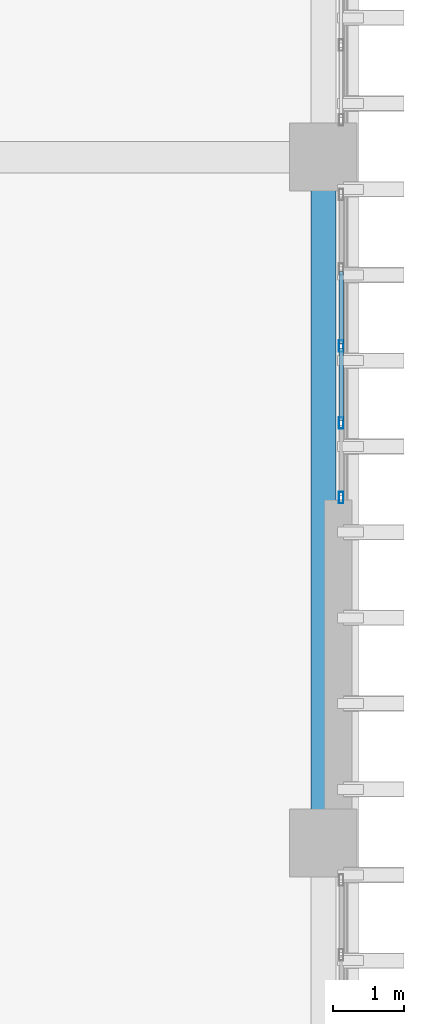
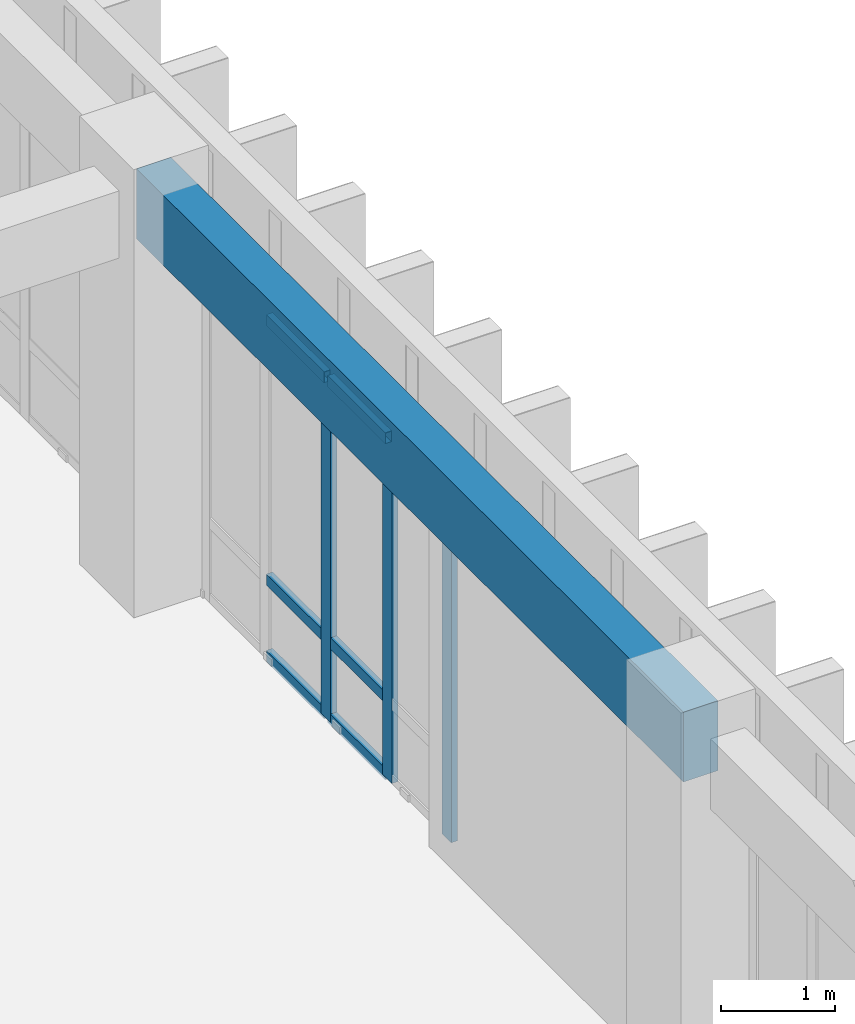
# One storey, part 63 of 133: 9 members, 1 beam, 1 element without a shape of its own.
"""IFC4 building model written with IfcOpenShell, lengths in metres."""

from ifc_helpers import new_model, si_unit, direction, frame, origin, origin_2d, place, context, subcontext, project, spatial, rectangle, hollow_rectangle, extrude, material, layer, layer_set, material_profile, profile_set, type_object, element, aggregate, save


model = new_model("IFC4")

# Units and contexts
model_context = context("Model", 3, precision=1e-05, world=origin(), true_north=direction((0.0, 1.0)))
body_context = subcontext(model_context, "Body", "Model", "MODEL_VIEW")
ifc_project = project(units=[si_unit("LENGTHUNIT", "METRE"), si_unit("AREAUNIT", "SQUARE_METRE"), si_unit("VOLUMEUNIT", "CUBIC_METRE"), si_unit("PLANEANGLEUNIT", "RADIAN"), si_unit("MASSUNIT", "GRAM", prefix="KILO")], contexts=[model_context])

# Site, building, storey
site_placement = place(None, origin())
site = spatial("IfcSite", under=ifc_project, at=site_placement, CompositionType="ELEMENT")
building_placement = place(site_placement, origin())
building = spatial("IfcBuilding", under=site, at=building_placement, Name="Nakhvara Creek Congress Hotel", CompositionType="ELEMENT")
storey_placement = place(building_placement, frame((0.0, 0.0, 11.39990234375)))
storey = spatial("IfcBuildingStorey", under=building, at=storey_placement, Name="L02", CompositionType="ELEMENT", Elevation=11.39990234375)

# Beam
ifc_material_1 = material(Name="Concrete C40/50", Category="concrete")
ifc_material_profile_1 = material_profile(ifc_material_1, rectangle(XDim=0.35009765625, YDim=0.75, at=origin_2d()), Name="RC-SPANDREL 350x750", Category="LoadBearing")
ifc_profile_set_1 = profile_set([ifc_material_profile_1], Name="Concrete C40/50")
beam_type = type_object("IfcBeamType", Name="BM-SPN-350X750", PredefinedType="SPANDREL", material=ifc_profile_set_1)
beam_placement = place(storey_placement, frame((179.35009765625, 38.39990234375, 4.045166015625), z_axis=(0.0, 1.0, 0.0), x_axis=(-1.0, 0.0, 0.0)))
element("IfcBeam", 1, at=beam_placement, inside=storey, type_object=beam_type, Name="Beam SP1-L02-1655", PredefinedType="SPANDREL", context=body_context, shape_type="SweptSolid", body=[
    extrude(rectangle(XDim=0.35009765625, YDim=0.75, at=origin_2d()), origin(), (0.0, 0.0, 1.0), 9.60009765625),
])

# Curtain wall, members
ifc_material_2 = material(Name="Bronze-anodised aluminium AW-6063-T6 and double-silver low-E glass", Category="aluminium")
ifc_layer = layer(ifc_material_2, 0.199951171875)
ifc_layer_set = layer_set([ifc_layer], Name="Bronze-anodised aluminium AW-6063-T6 and double-silver low-E glass")
curtain_wall_type = type_object("IfcCurtainWallType", Name="CW-HTL-UNIT", PredefinedType="USERDEFINED", material=ifc_layer_set)
curtain_wall_placement = place(storey_placement, origin())
curtain_wall = element("IfcCurtainWall", 2, at=curtain_wall_placement, inside=storey, type_object=curtain_wall_type, Name="Curtain Wall CW134", ObjectType="UNITISED", PredefinedType="USERDEFINED")
ifc_material_3 = material(Name="Bronze-anodised aluminium AW-6063-T6", Category="aluminium")
ifc_material_profile_2 = material_profile(ifc_material_3, hollow_rectangle(XDim=0.06494140625, YDim=0.159912109375, WallThickness=0.00390625, at=origin_2d()), Name="ALU-MULL 65x160x4", Category="LoadBearing")
ifc_profile_set_2 = profile_set([ifc_material_profile_2], Name="Bronze-anodised aluminium AW-6063-T6")
member_type_1 = type_object("IfcMemberType", Name="CW-MULL-160", PredefinedType="MULLION", material=ifc_profile_set_2)
member_1_placement = place(storey_placement, frame((179.60009765625, 45.35498046875, 0.0), z_axis=(0.0, 0.0, 1.0), x_axis=(1.0, 0.0, 0.0)))
member_1 = element("IfcMember", 3, at=member_1_placement, type_object=member_type_1, Name="CW134 mullion 3", PredefinedType="MULLION", context=body_context, shape_type="SweptSolid", body=[
    extrude(hollow_rectangle(XDim=0.06494140625, YDim=0.159912109375, WallThickness=0.00390625, at=origin_2d()), origin(), (0.0, 0.0, 1.0), 3.662109375),
])
member_2_placement = place(storey_placement, frame((179.60009765625, 44.277587890625, 0.0), z_axis=(0.0, 0.0, 1.0), x_axis=(1.0, 0.0, 0.0)))
member_2 = element("IfcMember", 4, at=member_2_placement, type_object=member_type_1, Name="CW134 mullion 4", PredefinedType="MULLION", context=body_context, shape_type="SweptSolid", body=[
    extrude(hollow_rectangle(XDim=0.06494140625, YDim=0.159912109375, WallThickness=0.00390625, at=origin_2d()), origin(), (0.0, 0.0, 1.0), 3.662109375),
])
member_3_placement = place(storey_placement, frame((179.60009765625, 43.232421875, 0.0), z_axis=(0.0, 0.0, 1.0), x_axis=(1.0, 0.0, 0.0)))
member_3 = element("IfcMember", 5, at=member_3_placement, type_object=member_type_1, Name="CW134 mullion 5", PredefinedType="MULLION", context=body_context, shape_type="SweptSolid", body=[
    extrude(hollow_rectangle(XDim=0.06494140625, YDim=0.159912109375, WallThickness=0.00390625, at=origin_2d()), origin(), (0.0, 0.0, 1.0), 3.662109375),
])
ifc_material_profile_3 = material_profile(ifc_material_3, hollow_rectangle(XDim=0.06494140625, YDim=0.1201171875, WallThickness=0.00390625, at=origin_2d()), Name="ALU-TRAN 65x120x4", Category="LoadBearing")
ifc_profile_set_3 = profile_set([ifc_material_profile_3], Name="Bronze-anodised aluminium AW-6063-T6")
member_type_2 = type_object("IfcMemberType", Name="CW-TRAN-120", PredefinedType="USERDEFINED", material=ifc_profile_set_3)
member_4_placement = place(storey_placement, frame((179.60009765625, 46.39990234375, 0.03271484375), z_axis=(0.0, -1.0, 0.0), x_axis=(1.0, 0.0, 0.0)))
member_4 = element("IfcMember", 6, at=member_4_placement, type_object=member_type_2, Name="CW134 transom 2.1", ObjectType="TRANSOM", PredefinedType="USERDEFINED", context=body_context, shape_type="SweptSolid", body=[
    extrude(hollow_rectangle(XDim=0.06494140625, YDim=0.1201171875, WallThickness=0.00390625, at=origin_2d()), origin(), (0.0, 0.0, 1.0), 1.012451171875),
])
member_5_placement = place(storey_placement, frame((179.60009765625, 46.39990234375, 0.85009765625), z_axis=(0.0, -1.0, 0.0), x_axis=(1.0, 0.0, 0.0)))
member_5 = element("IfcMember", 7, at=member_5_placement, type_object=member_type_2, Name="CW134 transom 2.2", ObjectType="TRANSOM", PredefinedType="USERDEFINED", context=body_context, shape_type="SweptSolid", body=[
    extrude(hollow_rectangle(XDim=0.06494140625, YDim=0.1201171875, WallThickness=0.00390625, at=origin_2d()), origin(), (0.0, 0.0, 1.0), 1.012451171875),
])
member_6_placement = place(storey_placement, frame((179.60009765625, 46.39990234375, 3.629638671875), z_axis=(0.0, -1.0, 0.0), x_axis=(1.0, 0.0, 0.0)))
member_6 = element("IfcMember", 8, at=member_6_placement, type_object=member_type_2, Name="CW134 transom 2.3", ObjectType="TRANSOM", PredefinedType="USERDEFINED", context=body_context, shape_type="SweptSolid", body=[
    extrude(hollow_rectangle(XDim=0.06494140625, YDim=0.1201171875, WallThickness=0.00390625, at=origin_2d()), origin(), (0.0, 0.0, 1.0), 1.012451171875),
])
member_7_placement = place(storey_placement, frame((179.60009765625, 45.322509765625, 0.03271484375), z_axis=(0.0, -1.0, 0.0), x_axis=(1.0, 0.0, 0.0)))
member_7 = element("IfcMember", 9, at=member_7_placement, type_object=member_type_2, Name="CW134 transom 3.1", ObjectType="TRANSOM", PredefinedType="USERDEFINED", context=body_context, shape_type="SweptSolid", body=[
    extrude(hollow_rectangle(XDim=0.06494140625, YDim=0.1201171875, WallThickness=0.00390625, at=origin_2d()), origin(), (0.0, 0.0, 1.0), 1.012451171875),
])
member_8_placement = place(storey_placement, frame((179.60009765625, 45.322509765625, 0.85009765625), z_axis=(0.0, -1.0, 0.0), x_axis=(1.0, 0.0, 0.0)))
member_8 = element("IfcMember", 10, at=member_8_placement, type_object=member_type_2, Name="CW134 transom 3.2", ObjectType="TRANSOM", PredefinedType="USERDEFINED", context=body_context, shape_type="SweptSolid", body=[
    extrude(hollow_rectangle(XDim=0.06494140625, YDim=0.1201171875, WallThickness=0.00390625, at=origin_2d()), origin(), (0.0, 0.0, 1.0), 1.012451171875),
])
member_9_placement = place(storey_placement, frame((179.60009765625, 45.322509765625, 3.629638671875), z_axis=(0.0, -1.0, 0.0), x_axis=(1.0, 0.0, 0.0)))
member_9 = element("IfcMember", 11, at=member_9_placement, type_object=member_type_2, Name="CW134 transom 3.3", ObjectType="TRANSOM", PredefinedType="USERDEFINED", context=body_context, shape_type="SweptSolid", body=[
    extrude(hollow_rectangle(XDim=0.06494140625, YDim=0.1201171875, WallThickness=0.00390625, at=origin_2d()), origin(), (0.0, 0.0, 1.0), 1.012451171875),
])
aggregate(curtain_wall, [member_1, member_2, member_3, member_4, member_5, member_6, member_7, member_8, member_9])

save(model, "model.ifc")
